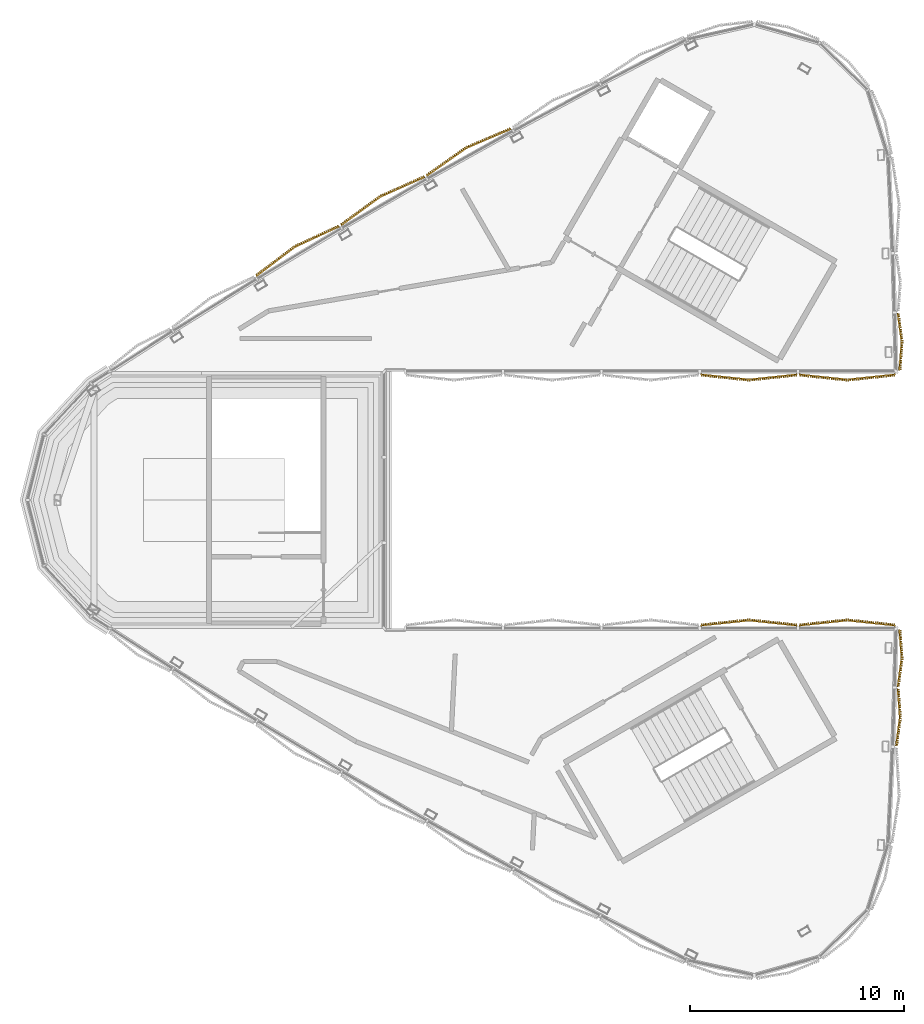
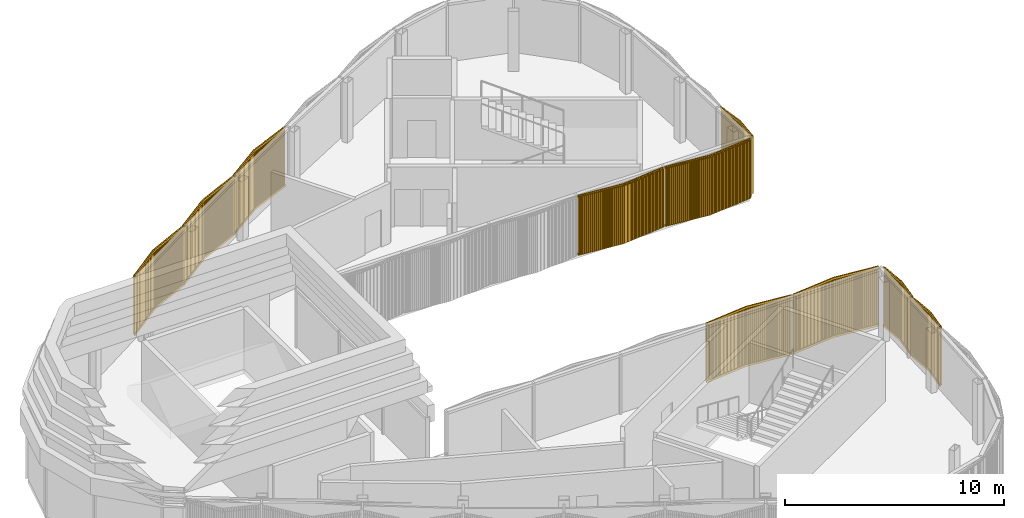
# One storey, part 13 of 16: 10 coverings.
"""IFC4 building model written with IfcOpenShell, lengths in metres."""

from ifc_helpers import new_model, si_unit, direction, frame, frame_2d, origin, place, context, subcontext, project, spatial, rectangle, extrude, source, transform, mapped, material, type_object, element, save


model = new_model("IFC4")

# Units and contexts
model_context = context("Model", 3, precision=1e-05, world=origin(), true_north=direction((0.0, 1.0)))
body_context = subcontext(model_context, "Body", "Model", "MODEL_VIEW")
ifc_project = project(units=[si_unit("LENGTHUNIT", "METRE"), si_unit("AREAUNIT", "SQUARE_METRE"), si_unit("VOLUMEUNIT", "CUBIC_METRE"), si_unit("PLANEANGLEUNIT", "RADIAN"), si_unit("MASSUNIT", "GRAM", prefix="KILO")], contexts=[model_context])

# Site, building, storey
site_placement = place(None, origin())
site = spatial("IfcSite", under=ifc_project, at=site_placement, CompositionType="ELEMENT")
building_placement = place(site_placement, origin())
building = spatial("IfcBuilding", under=site, at=building_placement, Name="Tamra Quay Hotel Tower", CompositionType="ELEMENT")
storey_placement = place(building_placement, frame((0.0, 0.0, 327.800048828125)))
storey = spatial("IfcBuildingStorey", under=building, at=storey_placement, Name="Roof crown 3", CompositionType="ELEMENT", Elevation=327.800048828125)

# Coverings
ifc_material = material(Name="Terracotta baguette extruded", Category="masonry")
covering_type = type_object("IfcCoveringType", Name="BAGUETTE SCREEN CROWN H3350", PredefinedType="USERDEFINED", material=ifc_material)
shared_shape_1 = source(origin(), body_context, "Body", "SweptSolid", [
    extrude(rectangle(XDim=2.27490234375, YDim=0.06005859375, at=frame_2d((1.137451171875, 0.030029296875))), frame((-2.268798828125, -0.0576171875, -0.1201171875), z_axis=(0.0, 0.0, 1.0), x_axis=(0.994521895368, -0.104528463268, 0.0)), (0.0, 0.0, 1.0), 0.1201171875),
    extrude(rectangle(XDim=2.27490234375, YDim=0.06005859375, at=frame_2d((1.137451171875, 0.030029296875))), frame((-2.268798828125, -0.0576171875, -3.35009765625), z_axis=(0.0, 0.0, 1.0), x_axis=(0.994521895368, -0.104528463268, 0.0)), (0.0, 0.0, 1.0), 0.1201171875),
    extrude(rectangle(XDim=0.070068359375, YDim=0.10009765625, at=frame_2d((0.03515625, 0.050048828125))), frame((-2.248291015625, -0.133056640625, -3.2900390625)), (0.0, 0.0, 1.0), 3.22998046875),
    extrude(rectangle(XDim=0.070068359375, YDim=0.10009765625, at=frame_2d((0.03515625, 0.050048828125))), frame((-2.14990234375, -0.1435546875, -3.2900390625)), (0.0, 0.0, 1.0), 3.22998046875),
    extrude(rectangle(XDim=0.070068359375, YDim=0.10009765625, at=frame_2d((0.03515625, 0.050048828125))), frame((-2.051513671875, -0.15380859375, -3.2900390625)), (0.0, 0.0, 1.0), 3.22998046875),
    extrude(rectangle(XDim=0.070068359375, YDim=0.10009765625, at=frame_2d((0.03515625, 0.050048828125))), frame((-1.953125, -0.164306640625, -3.2900390625)), (0.0, 0.0, 1.0), 3.22998046875),
    extrude(rectangle(XDim=0.070068359375, YDim=0.10009765625, at=frame_2d((0.03515625, 0.050048828125))), frame((-1.854736328125, -0.174560546875, -3.2900390625)), (0.0, 0.0, 1.0), 3.22998046875),
    extrude(rectangle(XDim=0.070068359375, YDim=0.10009765625, at=frame_2d((0.03515625, 0.050048828125))), frame((-1.756591796875, -0.184814453125, -3.2900390625)), (0.0, 0.0, 1.0), 3.22998046875),
    extrude(rectangle(XDim=0.070068359375, YDim=0.10009765625, at=frame_2d((0.03515625, 0.050048828125))), frame((-1.658203125, -0.1953125, -3.2900390625)), (0.0, 0.0, 1.0), 3.22998046875),
    extrude(rectangle(XDim=0.070068359375, YDim=0.10009765625, at=frame_2d((0.03515625, 0.050048828125))), frame((-1.559814453125, -0.20556640625, -3.2900390625)), (0.0, 0.0, 1.0), 3.22998046875),
    extrude(rectangle(XDim=0.070068359375, YDim=0.10009765625, at=frame_2d((0.03515625, 0.050048828125))), frame((-1.46142578125, -0.2158203125, -3.2900390625)), (0.0, 0.0, 1.0), 3.22998046875),
    extrude(rectangle(XDim=0.070068359375, YDim=0.10009765625, at=frame_2d((0.03515625, 0.050048828125))), frame((-1.363037109375, -0.226318359375, -3.2900390625)), (0.0, 0.0, 1.0), 3.22998046875),
    extrude(rectangle(XDim=0.070068359375, YDim=0.10009765625, at=frame_2d((0.03515625, 0.050048828125))), frame((-1.2646484375, -0.236572265625, -3.2900390625)), (0.0, 0.0, 1.0), 3.22998046875),
    extrude(rectangle(XDim=0.070068359375, YDim=0.10009765625, at=frame_2d((0.03515625, 0.050048828125))), frame((-1.166259765625, -0.246826171875, -3.2900390625)), (0.0, 0.0, 1.0), 3.22998046875),
    extrude(rectangle(XDim=0.070068359375, YDim=0.10009765625, at=frame_2d((0.03515625, 0.050048828125))), frame((-1.06787109375, -0.25732421875, -3.2900390625)), (0.0, 0.0, 1.0), 3.22998046875),
    extrude(rectangle(XDim=0.070068359375, YDim=0.10009765625, at=frame_2d((0.03515625, 0.050048828125))), frame((-0.969482421875, -0.267578125, -3.2900390625)), (0.0, 0.0, 1.0), 3.22998046875),
    extrude(rectangle(XDim=0.070068359375, YDim=0.10009765625, at=frame_2d((0.03515625, 0.050048828125))), frame((-0.87109375, -0.27783203125, -3.2900390625)), (0.0, 0.0, 1.0), 3.22998046875),
    extrude(rectangle(XDim=0.070068359375, YDim=0.10009765625, at=frame_2d((0.03515625, 0.050048828125))), frame((-0.772705078125, -0.288330078125, -3.2900390625)), (0.0, 0.0, 1.0), 3.22998046875),
    extrude(rectangle(XDim=0.070068359375, YDim=0.10009765625, at=frame_2d((0.03515625, 0.050048828125))), frame((-0.67431640625, -0.298583984375, -3.2900390625)), (0.0, 0.0, 1.0), 3.22998046875),
    extrude(rectangle(XDim=0.070068359375, YDim=0.10009765625, at=frame_2d((0.03515625, 0.050048828125))), frame((-0.575927734375, -0.308837890625, -3.2900390625)), (0.0, 0.0, 1.0), 3.22998046875),
    extrude(rectangle(XDim=0.070068359375, YDim=0.10009765625, at=frame_2d((0.03515625, 0.050048828125))), frame((-0.4775390625, -0.3193359375, -3.2900390625)), (0.0, 0.0, 1.0), 3.22998046875),
    extrude(rectangle(XDim=0.070068359375, YDim=0.10009765625, at=frame_2d((0.03515625, 0.050048828125))), frame((-0.37939453125, -0.32958984375, -3.2900390625)), (0.0, 0.0, 1.0), 3.22998046875),
    extrude(rectangle(XDim=0.070068359375, YDim=0.10009765625, at=frame_2d((0.03515625, 0.050048828125))), frame((-0.281005859375, -0.33984375, -3.2900390625)), (0.0, 0.0, 1.0), 3.22998046875),
    extrude(rectangle(XDim=0.070068359375, YDim=0.10009765625, at=frame_2d((0.03515625, 0.050048828125))), frame((-0.1826171875, -0.350341796875, -3.2900390625)), (0.0, 0.0, 1.0), 3.22998046875),
    extrude(rectangle(XDim=0.070068359375, YDim=0.10009765625, at=frame_2d((0.03515625, 0.050048828125))), frame((-0.084228515625, -0.360595703125, -3.2900390625)), (0.0, 0.0, 1.0), 3.22998046875),
    extrude(rectangle(XDim=2.27490234375, YDim=0.06005859375, at=frame_2d((1.137451171875, 0.030029296875))), frame((0.00634765625, -0.29541015625, -0.1201171875), z_axis=(0.0, 0.0, 1.0), x_axis=(0.994521895368, 0.104528463268, 0.0)), (0.0, 0.0, 1.0), 0.1201171875),
    extrude(rectangle(XDim=2.27490234375, YDim=0.06005859375, at=frame_2d((1.137451171875, 0.030029296875))), frame((0.00634765625, -0.29541015625, -3.35009765625), z_axis=(0.0, 0.0, 1.0), x_axis=(0.994521895368, 0.104528463268, 0.0)), (0.0, 0.0, 1.0), 0.1201171875),
    extrude(rectangle(XDim=0.070068359375, YDim=0.10009765625, at=frame_2d((0.03515625, 0.050048828125))), frame((0.01416015625, -0.360595703125, -3.2900390625)), (0.0, 0.0, 1.0), 3.22998046875),
    extrude(rectangle(XDim=0.070068359375, YDim=0.10009765625, at=frame_2d((0.03515625, 0.050048828125))), frame((0.112548828125, -0.350341796875, -3.2900390625)), (0.0, 0.0, 1.0), 3.22998046875),
    extrude(rectangle(XDim=0.070068359375, YDim=0.10009765625, at=frame_2d((0.03515625, 0.050048828125))), frame((0.2109375, -0.33984375, -3.2900390625)), (0.0, 0.0, 1.0), 3.22998046875),
    extrude(rectangle(XDim=0.070068359375, YDim=0.10009765625, at=frame_2d((0.03515625, 0.050048828125))), frame((0.309326171875, -0.32958984375, -3.2900390625)), (0.0, 0.0, 1.0), 3.22998046875),
    extrude(rectangle(XDim=0.070068359375, YDim=0.10009765625, at=frame_2d((0.03515625, 0.050048828125))), frame((0.40771484375, -0.3193359375, -3.2900390625)), (0.0, 0.0, 1.0), 3.22998046875),
    extrude(rectangle(XDim=0.070068359375, YDim=0.10009765625, at=frame_2d((0.03515625, 0.050048828125))), frame((0.506103515625, -0.308837890625, -3.2900390625)), (0.0, 0.0, 1.0), 3.22998046875),
    extrude(rectangle(XDim=0.070068359375, YDim=0.10009765625, at=frame_2d((0.03515625, 0.050048828125))), frame((0.6044921875, -0.298583984375, -3.2900390625)), (0.0, 0.0, 1.0), 3.22998046875),
    extrude(rectangle(XDim=0.070068359375, YDim=0.10009765625, at=frame_2d((0.03515625, 0.050048828125))), frame((0.702880859375, -0.288330078125, -3.2900390625)), (0.0, 0.0, 1.0), 3.22998046875),
    extrude(rectangle(XDim=0.070068359375, YDim=0.10009765625, at=frame_2d((0.03515625, 0.050048828125))), frame((0.801025390625, -0.27783203125, -3.2900390625)), (0.0, 0.0, 1.0), 3.22998046875),
    extrude(rectangle(XDim=0.070068359375, YDim=0.10009765625, at=frame_2d((0.03515625, 0.050048828125))), frame((0.8994140625, -0.267578125, -3.2900390625)), (0.0, 0.0, 1.0), 3.22998046875),
    extrude(rectangle(XDim=0.070068359375, YDim=0.10009765625, at=frame_2d((0.03515625, 0.050048828125))), frame((0.997802734375, -0.25732421875, -3.2900390625)), (0.0, 0.0, 1.0), 3.22998046875),
    extrude(rectangle(XDim=0.070068359375, YDim=0.10009765625, at=frame_2d((0.03515625, 0.050048828125))), frame((1.09619140625, -0.246826171875, -3.2900390625)), (0.0, 0.0, 1.0), 3.22998046875),
    extrude(rectangle(XDim=0.070068359375, YDim=0.10009765625, at=frame_2d((0.03515625, 0.050048828125))), frame((1.194580078125, -0.236572265625, -3.2900390625)), (0.0, 0.0, 1.0), 3.22998046875),
    extrude(rectangle(XDim=0.070068359375, YDim=0.10009765625, at=frame_2d((0.03515625, 0.050048828125))), frame((1.29296875, -0.226318359375, -3.2900390625)), (0.0, 0.0, 1.0), 3.22998046875),
    extrude(rectangle(XDim=0.070068359375, YDim=0.10009765625, at=frame_2d((0.03515625, 0.050048828125))), frame((1.391357421875, -0.2158203125, -3.2900390625)), (0.0, 0.0, 1.0), 3.22998046875),
    extrude(rectangle(XDim=0.070068359375, YDim=0.10009765625, at=frame_2d((0.03515625, 0.050048828125))), frame((1.48974609375, -0.20556640625, -3.2900390625)), (0.0, 0.0, 1.0), 3.22998046875),
    extrude(rectangle(XDim=0.070068359375, YDim=0.10009765625, at=frame_2d((0.03515625, 0.050048828125))), frame((1.588134765625, -0.1953125, -3.2900390625)), (0.0, 0.0, 1.0), 3.22998046875),
    extrude(rectangle(XDim=0.070068359375, YDim=0.10009765625, at=frame_2d((0.03515625, 0.050048828125))), frame((1.6865234375, -0.184814453125, -3.2900390625)), (0.0, 0.0, 1.0), 3.22998046875),
    extrude(rectangle(XDim=0.070068359375, YDim=0.10009765625, at=frame_2d((0.03515625, 0.050048828125))), frame((1.784912109375, -0.174560546875, -3.2900390625)), (0.0, 0.0, 1.0), 3.22998046875),
    extrude(rectangle(XDim=0.070068359375, YDim=0.10009765625, at=frame_2d((0.03515625, 0.050048828125))), frame((1.88330078125, -0.164306640625, -3.2900390625)), (0.0, 0.0, 1.0), 3.22998046875),
    extrude(rectangle(XDim=0.070068359375, YDim=0.10009765625, at=frame_2d((0.03515625, 0.050048828125))), frame((1.981689453125, -0.15380859375, -3.2900390625)), (0.0, 0.0, 1.0), 3.22998046875),
    extrude(rectangle(XDim=0.070068359375, YDim=0.10009765625, at=frame_2d((0.03515625, 0.050048828125))), frame((2.079833984375, -0.1435546875, -3.2900390625)), (0.0, 0.0, 1.0), 3.22998046875),
    extrude(rectangle(XDim=0.070068359375, YDim=0.10009765625, at=frame_2d((0.03515625, 0.050048828125))), frame((2.17822265625, -0.133056640625, -3.2900390625)), (0.0, 0.0, 1.0), 3.22998046875),
])
for number, where, z_axis, x_axis, name in (
    (1, (-4.02734375, 16.203125, 3.349853515625), (0.0, 0.0, 1.0), (-0.873735522847, -0.486401311794, 0.0), "Baguette screen Roof crown 3.A.f07"),
    (2, (-8.041015625, 13.927490234375, 3.349853515625), (0.0, 0.0, 1.0), (-0.866025403784, -0.5, 0.0), "Baguette screen Roof crown 3.A.f08"),
    (3, (-12.018798828125, 11.58935546875, 3.349853515625), (0.0, 0.0, 1.0), (-0.858103653871, -0.513476503078, 0.0), "Baguette screen Roof crown 3.A.f09"),
):
    element("IfcCovering", number, at=place(storey_placement, frame(where, z_axis=z_axis, x_axis=x_axis)), inside=storey, type_object=covering_type, Name=name, ObjectType="BAGUETTE SCREEN", PredefinedType="USERDEFINED", context=body_context, shape_type="MappedRepresentation", body=[
        mapped(shared_shape_1, transform((0.0, 0.0, 0.0), scale=1.0)),
    ])
shared_shape_2 = source(origin(), body_context, "Body", "SweptSolid", [
    extrude(rectangle(XDim=2.264892578125, YDim=0.06005859375, at=frame_2d((1.13232421875, 0.030029296875))), frame((-2.2587890625, -0.0576171875, -0.1201171875), z_axis=(0.0, 0.0, 1.0), x_axis=(0.994521895368, -0.104528463268, 0.0)), (0.0, 0.0, 1.0), 0.1201171875),
    extrude(rectangle(XDim=2.264892578125, YDim=0.06005859375, at=frame_2d((1.13232421875, 0.030029296875))), frame((-2.2587890625, -0.0576171875, -3.35009765625), z_axis=(0.0, 0.0, 1.0), x_axis=(0.994521895368, -0.104528463268, 0.0)), (0.0, 0.0, 1.0), 0.1201171875),
    extrude(rectangle(XDim=0.070068359375, YDim=0.10009765625, at=frame_2d((0.03515625, 0.050048828125))), frame((-2.238525390625, -0.133056640625, -3.2900390625)), (0.0, 0.0, 1.0), 3.22998046875),
    extrude(rectangle(XDim=0.070068359375, YDim=0.10009765625, at=frame_2d((0.03515625, 0.050048828125))), frame((-2.140625, -0.1435546875, -3.2900390625)), (0.0, 0.0, 1.0), 3.22998046875),
    extrude(rectangle(XDim=0.070068359375, YDim=0.10009765625, at=frame_2d((0.03515625, 0.050048828125))), frame((-2.042724609375, -0.15380859375, -3.2900390625)), (0.0, 0.0, 1.0), 3.22998046875),
    extrude(rectangle(XDim=0.070068359375, YDim=0.10009765625, at=frame_2d((0.03515625, 0.050048828125))), frame((-1.94482421875, -0.1640625, -3.2900390625)), (0.0, 0.0, 1.0), 3.22998046875),
    extrude(rectangle(XDim=0.070068359375, YDim=0.10009765625, at=frame_2d((0.03515625, 0.050048828125))), frame((-1.8466796875, -0.17431640625, -3.2900390625)), (0.0, 0.0, 1.0), 3.22998046875),
    extrude(rectangle(XDim=0.070068359375, YDim=0.10009765625, at=frame_2d((0.03515625, 0.050048828125))), frame((-1.748779296875, -0.1845703125, -3.2900390625)), (0.0, 0.0, 1.0), 3.22998046875),
    extrude(rectangle(XDim=0.070068359375, YDim=0.10009765625, at=frame_2d((0.03515625, 0.050048828125))), frame((-1.65087890625, -0.19482421875, -3.2900390625)), (0.0, 0.0, 1.0), 3.22998046875),
    extrude(rectangle(XDim=0.070068359375, YDim=0.10009765625, at=frame_2d((0.03515625, 0.050048828125))), frame((-1.552978515625, -0.205078125, -3.2900390625)), (0.0, 0.0, 1.0), 3.22998046875),
    extrude(rectangle(XDim=0.070068359375, YDim=0.10009765625, at=frame_2d((0.03515625, 0.050048828125))), frame((-1.455078125, -0.215576171875, -3.2900390625)), (0.0, 0.0, 1.0), 3.22998046875),
    extrude(rectangle(XDim=0.070068359375, YDim=0.10009765625, at=frame_2d((0.03515625, 0.050048828125))), frame((-1.357177734375, -0.225830078125, -3.2900390625)), (0.0, 0.0, 1.0), 3.22998046875),
    extrude(rectangle(XDim=0.070068359375, YDim=0.10009765625, at=frame_2d((0.03515625, 0.050048828125))), frame((-1.25927734375, -0.236083984375, -3.2900390625)), (0.0, 0.0, 1.0), 3.22998046875),
    extrude(rectangle(XDim=0.070068359375, YDim=0.10009765625, at=frame_2d((0.03515625, 0.050048828125))), frame((-1.1611328125, -0.246337890625, -3.2900390625)), (0.0, 0.0, 1.0), 3.22998046875),
    extrude(rectangle(XDim=0.070068359375, YDim=0.10009765625, at=frame_2d((0.03515625, 0.050048828125))), frame((-1.063232421875, -0.256591796875, -3.2900390625)), (0.0, 0.0, 1.0), 3.22998046875),
    extrude(rectangle(XDim=0.070068359375, YDim=0.10009765625, at=frame_2d((0.03515625, 0.050048828125))), frame((-0.96533203125, -0.266845703125, -3.2900390625)), (0.0, 0.0, 1.0), 3.22998046875),
    extrude(rectangle(XDim=0.070068359375, YDim=0.10009765625, at=frame_2d((0.03515625, 0.050048828125))), frame((-0.867431640625, -0.27734375, -3.2900390625)), (0.0, 0.0, 1.0), 3.22998046875),
    extrude(rectangle(XDim=0.070068359375, YDim=0.10009765625, at=frame_2d((0.03515625, 0.050048828125))), frame((-0.76953125, -0.28759765625, -3.2900390625)), (0.0, 0.0, 1.0), 3.22998046875),
    extrude(rectangle(XDim=0.070068359375, YDim=0.10009765625, at=frame_2d((0.03515625, 0.050048828125))), frame((-0.671630859375, -0.2978515625, -3.2900390625)), (0.0, 0.0, 1.0), 3.22998046875),
    extrude(rectangle(XDim=0.070068359375, YDim=0.10009765625, at=frame_2d((0.03515625, 0.050048828125))), frame((-0.57373046875, -0.30810546875, -3.2900390625)), (0.0, 0.0, 1.0), 3.22998046875),
    extrude(rectangle(XDim=0.070068359375, YDim=0.10009765625, at=frame_2d((0.03515625, 0.050048828125))), frame((-0.475830078125, -0.318359375, -3.2900390625)), (0.0, 0.0, 1.0), 3.22998046875),
    extrude(rectangle(XDim=0.070068359375, YDim=0.10009765625, at=frame_2d((0.03515625, 0.050048828125))), frame((-0.377685546875, -0.32861328125, -3.2900390625)), (0.0, 0.0, 1.0), 3.22998046875),
    extrude(rectangle(XDim=0.070068359375, YDim=0.10009765625, at=frame_2d((0.03515625, 0.050048828125))), frame((-0.27978515625, -0.339111328125, -3.2900390625)), (0.0, 0.0, 1.0), 3.22998046875),
    extrude(rectangle(XDim=0.070068359375, YDim=0.10009765625, at=frame_2d((0.03515625, 0.050048828125))), frame((-0.181884765625, -0.349365234375, -3.2900390625)), (0.0, 0.0, 1.0), 3.22998046875),
    extrude(rectangle(XDim=0.070068359375, YDim=0.10009765625, at=frame_2d((0.03515625, 0.050048828125))), frame((-0.083984375, -0.359619140625, -3.2900390625)), (0.0, 0.0, 1.0), 3.22998046875),
    extrude(rectangle(XDim=2.264892578125, YDim=0.06005859375, at=frame_2d((1.13232421875, 0.030029296875))), frame((0.00634765625, -0.29443359375, -0.1201171875), z_axis=(0.0, 0.0, 1.0), x_axis=(0.994521895368, 0.104528463268, 0.0)), (0.0, 0.0, 1.0), 0.1201171875),
    extrude(rectangle(XDim=2.264892578125, YDim=0.06005859375, at=frame_2d((1.13232421875, 0.030029296875))), frame((0.00634765625, -0.29443359375, -3.35009765625), z_axis=(0.0, 0.0, 1.0), x_axis=(0.994521895368, 0.104528463268, 0.0)), (0.0, 0.0, 1.0), 0.1201171875),
    extrude(rectangle(XDim=0.070068359375, YDim=0.10009765625, at=frame_2d((0.03515625, 0.050048828125))), frame((0.013916015625, -0.359619140625, -3.2900390625)), (0.0, 0.0, 1.0), 3.22998046875),
    extrude(rectangle(XDim=0.070068359375, YDim=0.10009765625, at=frame_2d((0.03515625, 0.050048828125))), frame((0.11181640625, -0.349365234375, -3.2900390625)), (0.0, 0.0, 1.0), 3.22998046875),
    extrude(rectangle(XDim=0.070068359375, YDim=0.10009765625, at=frame_2d((0.03515625, 0.050048828125))), frame((0.2099609375, -0.339111328125, -3.2900390625)), (0.0, 0.0, 1.0), 3.22998046875),
    extrude(rectangle(XDim=0.070068359375, YDim=0.10009765625, at=frame_2d((0.03515625, 0.050048828125))), frame((0.307861328125, -0.32861328125, -3.2900390625)), (0.0, 0.0, 1.0), 3.22998046875),
    extrude(rectangle(XDim=0.070068359375, YDim=0.10009765625, at=frame_2d((0.03515625, 0.050048828125))), frame((0.40576171875, -0.318359375, -3.2900390625)), (0.0, 0.0, 1.0), 3.22998046875),
    extrude(rectangle(XDim=0.070068359375, YDim=0.10009765625, at=frame_2d((0.03515625, 0.050048828125))), frame((0.503662109375, -0.30810546875, -3.2900390625)), (0.0, 0.0, 1.0), 3.22998046875),
    extrude(rectangle(XDim=0.070068359375, YDim=0.10009765625, at=frame_2d((0.03515625, 0.050048828125))), frame((0.6015625, -0.2978515625, -3.2900390625)), (0.0, 0.0, 1.0), 3.22998046875),
    extrude(rectangle(XDim=0.070068359375, YDim=0.10009765625, at=frame_2d((0.03515625, 0.050048828125))), frame((0.699462890625, -0.28759765625, -3.2900390625)), (0.0, 0.0, 1.0), 3.22998046875),
    extrude(rectangle(XDim=0.070068359375, YDim=0.10009765625, at=frame_2d((0.03515625, 0.050048828125))), frame((0.79736328125, -0.27734375, -3.2900390625)), (0.0, 0.0, 1.0), 3.22998046875),
    extrude(rectangle(XDim=0.070068359375, YDim=0.10009765625, at=frame_2d((0.03515625, 0.050048828125))), frame((0.895263671875, -0.266845703125, -3.2900390625)), (0.0, 0.0, 1.0), 3.22998046875),
    extrude(rectangle(XDim=0.070068359375, YDim=0.10009765625, at=frame_2d((0.03515625, 0.050048828125))), frame((0.993408203125, -0.256591796875, -3.2900390625)), (0.0, 0.0, 1.0), 3.22998046875),
    extrude(rectangle(XDim=0.070068359375, YDim=0.10009765625, at=frame_2d((0.03515625, 0.050048828125))), frame((1.09130859375, -0.246337890625, -3.2900390625)), (0.0, 0.0, 1.0), 3.22998046875),
    extrude(rectangle(XDim=0.070068359375, YDim=0.10009765625, at=frame_2d((0.03515625, 0.050048828125))), frame((1.189208984375, -0.236083984375, -3.2900390625)), (0.0, 0.0, 1.0), 3.22998046875),
    extrude(rectangle(XDim=0.070068359375, YDim=0.10009765625, at=frame_2d((0.03515625, 0.050048828125))), frame((1.287109375, -0.225830078125, -3.2900390625)), (0.0, 0.0, 1.0), 3.22998046875),
    extrude(rectangle(XDim=0.070068359375, YDim=0.10009765625, at=frame_2d((0.03515625, 0.050048828125))), frame((1.385009765625, -0.215576171875, -3.2900390625)), (0.0, 0.0, 1.0), 3.22998046875),
    extrude(rectangle(XDim=0.070068359375, YDim=0.10009765625, at=frame_2d((0.03515625, 0.050048828125))), frame((1.48291015625, -0.205078125, -3.2900390625)), (0.0, 0.0, 1.0), 3.22998046875),
    extrude(rectangle(XDim=0.070068359375, YDim=0.10009765625, at=frame_2d((0.03515625, 0.050048828125))), frame((1.580810546875, -0.19482421875, -3.2900390625)), (0.0, 0.0, 1.0), 3.22998046875),
    extrude(rectangle(XDim=0.070068359375, YDim=0.10009765625, at=frame_2d((0.03515625, 0.050048828125))), frame((1.678955078125, -0.1845703125, -3.2900390625)), (0.0, 0.0, 1.0), 3.22998046875),
    extrude(rectangle(XDim=0.070068359375, YDim=0.10009765625, at=frame_2d((0.03515625, 0.050048828125))), frame((1.77685546875, -0.17431640625, -3.2900390625)), (0.0, 0.0, 1.0), 3.22998046875),
    extrude(rectangle(XDim=0.070068359375, YDim=0.10009765625, at=frame_2d((0.03515625, 0.050048828125))), frame((1.874755859375, -0.1640625, -3.2900390625)), (0.0, 0.0, 1.0), 3.22998046875),
    extrude(rectangle(XDim=0.070068359375, YDim=0.10009765625, at=frame_2d((0.03515625, 0.050048828125))), frame((1.97265625, -0.15380859375, -3.2900390625)), (0.0, 0.0, 1.0), 3.22998046875),
    extrude(rectangle(XDim=0.070068359375, YDim=0.10009765625, at=frame_2d((0.03515625, 0.050048828125))), frame((2.070556640625, -0.1435546875, -3.2900390625)), (0.0, 0.0, 1.0), 3.22998046875),
    extrude(rectangle(XDim=0.070068359375, YDim=0.10009765625, at=frame_2d((0.03515625, 0.050048828125))), frame((2.16845703125, -0.133056640625, -3.2900390625)), (0.0, 0.0, 1.0), 3.22998046875),
])
for number, where, z_axis, x_axis, name in (
    (4, (9.037353515625, 5.902099609375, 3.349853515625), (0.0, 0.0, 1.0), (1.0, 0.0, 0.0), "Baguette screen Roof crown 3.A.f18"),
    (5, (13.6298828125, 5.902099609375, 3.349853515625), (0.0, 0.0, 1.0), (1.0, 0.0, 0.0), "Baguette screen Roof crown 3.A.f19"),
    (6, (13.6298828125, -5.902099609375, 3.349853515625), (0.0, 0.0, 1.0), (-1.0, 0.0, 0.0), "Baguette screen Roof crown 3.B.f00"),
    (7, (9.037353515625, -5.902099609375, 3.349853515625), (0.0, 0.0, 1.0), (-1.0, 0.0, 0.0), "Baguette screen Roof crown 3.B.f01"),
):
    element("IfcCovering", number, at=place(storey_placement, frame(where, z_axis=z_axis, x_axis=x_axis)), inside=storey, type_object=covering_type, Name=name, ObjectType="BAGUETTE SCREEN", PredefinedType="USERDEFINED", context=body_context, shape_type="MappedRepresentation", body=[
        mapped(shared_shape_2, transform((0.0, 0.0, 0.0), scale=1.0)),
    ])
shared_shape_3 = source(origin(), body_context, "Body", "SweptSolid", [
    extrude(rectangle(XDim=1.349853515625, YDim=0.06005859375, at=frame_2d((0.6748046875, 0.030029296875))), frame((-1.348876953125, -0.0576171875, -0.1201171875), z_axis=(0.0, 0.0, 1.0), x_axis=(0.994521895368, -0.104528463268, 0.0)), (0.0, 0.0, 1.0), 0.1201171875),
    extrude(rectangle(XDim=1.349853515625, YDim=0.06005859375, at=frame_2d((0.6748046875, 0.030029296875))), frame((-1.348876953125, -0.0576171875, -3.35009765625), z_axis=(0.0, 0.0, 1.0), x_axis=(0.994521895368, -0.104528463268, 0.0)), (0.0, 0.0, 1.0), 0.1201171875),
    extrude(rectangle(XDim=0.070068359375, YDim=0.10009765625, at=frame_2d((0.03515625, 0.050048828125))), frame((-1.325927734375, -0.133544921875, -3.2900390625)), (0.0, 0.0, 1.0), 3.22998046875),
    extrude(rectangle(XDim=0.070068359375, YDim=0.10009765625, at=frame_2d((0.03515625, 0.050048828125))), frame((-1.22265625, -0.144287109375, -3.2900390625)), (0.0, 0.0, 1.0), 3.22998046875),
    extrude(rectangle(XDim=0.070068359375, YDim=0.10009765625, at=frame_2d((0.03515625, 0.050048828125))), frame((-1.119384765625, -0.155029296875, -3.2900390625)), (0.0, 0.0, 1.0), 3.22998046875),
    extrude(rectangle(XDim=0.070068359375, YDim=0.10009765625, at=frame_2d((0.03515625, 0.050048828125))), frame((-1.01611328125, -0.166015625, -3.2900390625)), (0.0, 0.0, 1.0), 3.22998046875),
    extrude(rectangle(XDim=0.070068359375, YDim=0.10009765625, at=frame_2d((0.03515625, 0.050048828125))), frame((-0.912841796875, -0.1767578125, -3.2900390625)), (0.0, 0.0, 1.0), 3.22998046875),
    extrude(rectangle(XDim=0.070068359375, YDim=0.10009765625, at=frame_2d((0.03515625, 0.050048828125))), frame((-0.8095703125, -0.187744140625, -3.2900390625)), (0.0, 0.0, 1.0), 3.22998046875),
    extrude(rectangle(XDim=0.070068359375, YDim=0.10009765625, at=frame_2d((0.03515625, 0.050048828125))), frame((-0.706298828125, -0.198486328125, -3.2900390625)), (0.0, 0.0, 1.0), 3.22998046875),
    extrude(rectangle(XDim=0.070068359375, YDim=0.10009765625, at=frame_2d((0.03515625, 0.050048828125))), frame((-0.60302734375, -0.20947265625, -3.2900390625)), (0.0, 0.0, 1.0), 3.22998046875),
    extrude(rectangle(XDim=0.070068359375, YDim=0.10009765625, at=frame_2d((0.03515625, 0.050048828125))), frame((-0.499755859375, -0.22021484375, -3.2900390625)), (0.0, 0.0, 1.0), 3.22998046875),
    extrude(rectangle(XDim=0.070068359375, YDim=0.10009765625, at=frame_2d((0.03515625, 0.050048828125))), frame((-0.396484375, -0.231201171875, -3.2900390625)), (0.0, 0.0, 1.0), 3.22998046875),
    extrude(rectangle(XDim=0.070068359375, YDim=0.10009765625, at=frame_2d((0.03515625, 0.050048828125))), frame((-0.293212890625, -0.241943359375, -3.2900390625)), (0.0, 0.0, 1.0), 3.22998046875),
    extrude(rectangle(XDim=0.070068359375, YDim=0.10009765625, at=frame_2d((0.03515625, 0.050048828125))), frame((-0.18994140625, -0.2529296875, -3.2900390625)), (0.0, 0.0, 1.0), 3.22998046875),
    extrude(rectangle(XDim=0.070068359375, YDim=0.10009765625, at=frame_2d((0.03515625, 0.050048828125))), frame((-0.086669921875, -0.263671875, -3.2900390625)), (0.0, 0.0, 1.0), 3.22998046875),
    extrude(rectangle(XDim=1.349853515625, YDim=0.06005859375, at=frame_2d((0.6748046875, 0.030029296875))), frame((0.00634765625, -0.19873046875, -0.1201171875), z_axis=(0.0, 0.0, 1.0), x_axis=(0.994521895368, 0.104528463268, 0.0)), (0.0, 0.0, 1.0), 0.1201171875),
    extrude(rectangle(XDim=1.349853515625, YDim=0.06005859375, at=frame_2d((0.6748046875, 0.030029296875))), frame((0.00634765625, -0.19873046875, -3.35009765625), z_axis=(0.0, 0.0, 1.0), x_axis=(0.994521895368, 0.104528463268, 0.0)), (0.0, 0.0, 1.0), 0.1201171875),
    extrude(rectangle(XDim=0.070068359375, YDim=0.10009765625, at=frame_2d((0.03515625, 0.050048828125))), frame((0.0166015625, -0.263671875, -3.2900390625)), (0.0, 0.0, 1.0), 3.22998046875),
    extrude(rectangle(XDim=0.070068359375, YDim=0.10009765625, at=frame_2d((0.03515625, 0.050048828125))), frame((0.119873046875, -0.2529296875, -3.2900390625)), (0.0, 0.0, 1.0), 3.22998046875),
    extrude(rectangle(XDim=0.070068359375, YDim=0.10009765625, at=frame_2d((0.03515625, 0.050048828125))), frame((0.22314453125, -0.241943359375, -3.2900390625)), (0.0, 0.0, 1.0), 3.22998046875),
    extrude(rectangle(XDim=0.070068359375, YDim=0.10009765625, at=frame_2d((0.03515625, 0.050048828125))), frame((0.326416015625, -0.231201171875, -3.2900390625)), (0.0, 0.0, 1.0), 3.22998046875),
    extrude(rectangle(XDim=0.070068359375, YDim=0.10009765625, at=frame_2d((0.03515625, 0.050048828125))), frame((0.4296875, -0.22021484375, -3.2900390625)), (0.0, 0.0, 1.0), 3.22998046875),
    extrude(rectangle(XDim=0.070068359375, YDim=0.10009765625, at=frame_2d((0.03515625, 0.050048828125))), frame((0.532958984375, -0.20947265625, -3.2900390625)), (0.0, 0.0, 1.0), 3.22998046875),
    extrude(rectangle(XDim=0.070068359375, YDim=0.10009765625, at=frame_2d((0.03515625, 0.050048828125))), frame((0.63623046875, -0.198486328125, -3.2900390625)), (0.0, 0.0, 1.0), 3.22998046875),
    extrude(rectangle(XDim=0.070068359375, YDim=0.10009765625, at=frame_2d((0.03515625, 0.050048828125))), frame((0.739501953125, -0.187744140625, -3.2900390625)), (0.0, 0.0, 1.0), 3.22998046875),
    extrude(rectangle(XDim=0.070068359375, YDim=0.10009765625, at=frame_2d((0.03515625, 0.050048828125))), frame((0.8427734375, -0.1767578125, -3.2900390625)), (0.0, 0.0, 1.0), 3.22998046875),
    extrude(rectangle(XDim=0.070068359375, YDim=0.10009765625, at=frame_2d((0.03515625, 0.050048828125))), frame((0.946044921875, -0.166015625, -3.2900390625)), (0.0, 0.0, 1.0), 3.22998046875),
    extrude(rectangle(XDim=0.070068359375, YDim=0.10009765625, at=frame_2d((0.03515625, 0.050048828125))), frame((1.04931640625, -0.155029296875, -3.2900390625)), (0.0, 0.0, 1.0), 3.22998046875),
    extrude(rectangle(XDim=0.070068359375, YDim=0.10009765625, at=frame_2d((0.03515625, 0.050048828125))), frame((1.152587890625, -0.144287109375, -3.2900390625)), (0.0, 0.0, 1.0), 3.22998046875),
    extrude(rectangle(XDim=0.070068359375, YDim=0.10009765625, at=frame_2d((0.03515625, 0.050048828125))), frame((1.255859375, -0.133544921875, -3.2900390625)), (0.0, 0.0, 1.0), 3.22998046875),
])
for number, where, z_axis, x_axis, name in (
    (8, (15.984619140625, 7.385009765625, 3.349853515625), (0.0, 0.0, 1.0), (-0.028649831581, 0.999589509324, 0.0), "Baguette screen Roof crown 3.A.f20"),
    (9, (15.905517578125, -10.149169921875, 3.349853515625), (0.0, 0.0, 1.0), (0.028649831581, 0.999589509324, 0.0), "Baguette screen Roof crown 3.B.f20"),
    (10, (15.984619140625, -7.385009765625, 3.349853515625), (0.0, 0.0, 1.0), (0.028649831581, 0.999589509324, 0.0), "Baguette screen Roof crown 3.B.f21"),
):
    element("IfcCovering", number, at=place(storey_placement, frame(where, z_axis=z_axis, x_axis=x_axis)), inside=storey, type_object=covering_type, Name=name, ObjectType="BAGUETTE SCREEN", PredefinedType="USERDEFINED", context=body_context, shape_type="MappedRepresentation", body=[
        mapped(shared_shape_3, transform((0.0, 0.0, 0.0), scale=1.0)),
    ])

save(model, "model.ifc")
